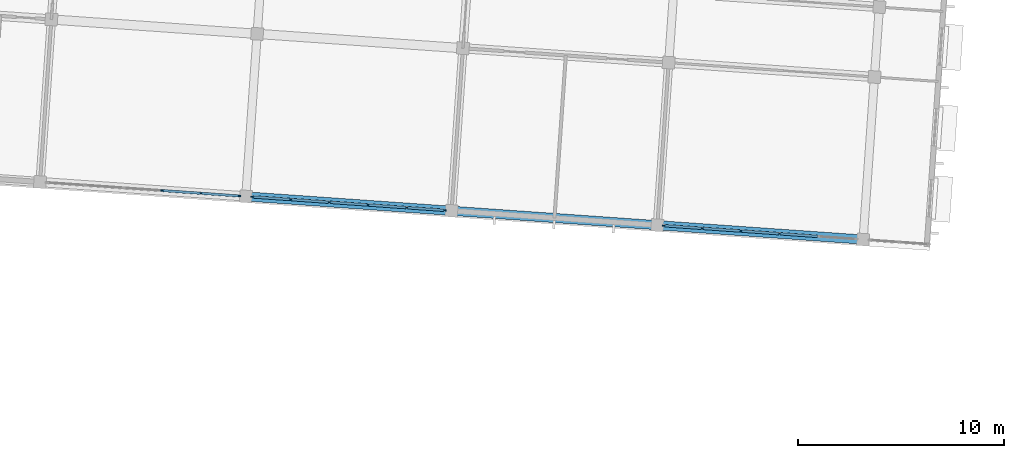
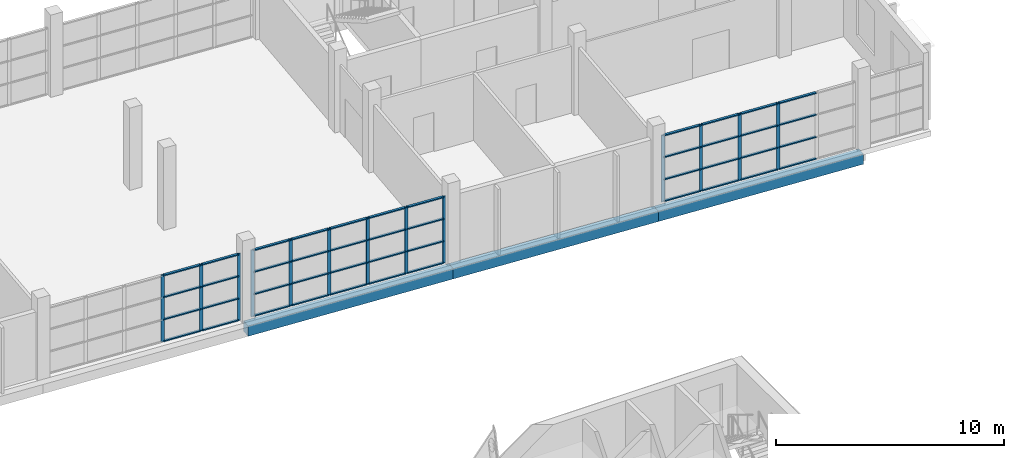
# One storey, part 44 of 115: 57 members, 3 beams, 3 elements without a shape of their own.
"""IFC4 building model written with IfcOpenShell, lengths in metres."""

from ifc_helpers import new_model, si_unit, direction, frame, origin, origin_2d, place, context, subcontext, project, spatial, rectangle, extrude, material, material_profile, profile_set, type_object, element, aggregate, save


model = new_model("IFC4")

# Units and contexts
model_context = context("Model", 3, precision=1e-05, world=origin(), true_north=direction((0.0, 1.0)))
body_context = subcontext(model_context, "Body", "Model", "MODEL_VIEW")
ifc_project = project(units=[si_unit("LENGTHUNIT", "METRE"), si_unit("AREAUNIT", "SQUARE_METRE"), si_unit("VOLUMEUNIT", "CUBIC_METRE"), si_unit("PLANEANGLEUNIT", "RADIAN"), si_unit("MASSUNIT", "GRAM", prefix="KILO")], contexts=[model_context])

# Site, building, storey
site_placement = place(None, origin())
site = spatial("IfcSite", under=ifc_project, at=site_placement, CompositionType="ELEMENT")
building_placement = place(site_placement, origin())
building = spatial("IfcBuilding", under=site, at=building_placement, Name="Windward Yard Aquatics Centre", CompositionType="ELEMENT")
storey_placement = place(building_placement, frame((0.0, 0.0, 5.0)))
storey = spatial("IfcBuildingStorey", under=building, at=storey_placement, Name="L01", CompositionType="ELEMENT", Elevation=5.0)

# Curtain wall, members
ifc_material_1 = material(Name="Aluminium curtain wall system", Category="aluminium")
curtain_wall_type = type_object("IfcCurtainWallType", Name="W curtain wall 1900", PredefinedType="NOTDEFINED", material=ifc_material_1)
curtain_wall_1_placement = place(storey_placement, origin())
curtain_wall_1 = element("IfcCurtainWall", 1, at=curtain_wall_1_placement, inside=storey, type_object=curtain_wall_type, Name="Wing south glazing L01 3", PredefinedType="NOTDEFINED")
ifc_material_2 = material(Name="Aluminium mullion", Category="aluminium")
ifc_material_profile_1 = material_profile(ifc_material_2, rectangle(XDim=0.06005859375, YDim=0.159912109375, at=origin_2d()), Name="AL 60x160")
ifc_profile_set_1 = profile_set([ifc_material_profile_1], Name="Aluminium mullion")
member_type_1 = type_object("IfcMemberType", Name="W CW mullion 60x160", PredefinedType="MULLION", material=ifc_profile_set_1)
member_1_placement = place(storey_placement, frame((133.739990234375, 115.0556640625, 0.0), z_axis=(0.0, 0.0, 1.0), x_axis=(0.069755340111, 0.997564129531, 0.0)))
member_1 = element("IfcMember", 2, at=member_1_placement, type_object=member_type_1, Name="WCW1 mullion 4", PredefinedType="MULLION", context=body_context, shape_type="SweptSolid", body=[
    extrude(rectangle(XDim=0.06005859375, YDim=0.159912109375, at=origin_2d()), origin(), (0.0, 0.0, 1.0), 3.570068359375),
])
member_2_placement = place(storey_placement, frame((135.615478515625, 114.924560546875, 0.0), z_axis=(0.0, 0.0, 1.0), x_axis=(0.069755340111, 0.997564129531, 0.0)))
member_2 = element("IfcMember", 3, at=member_2_placement, type_object=member_type_1, Name="WCW1 mullion 5", PredefinedType="MULLION", context=body_context, shape_type="SweptSolid", body=[
    extrude(rectangle(XDim=0.06005859375, YDim=0.159912109375, at=origin_2d()), origin(), (0.0, 0.0, 1.0), 3.570068359375),
])
member_3_placement = place(storey_placement, frame((137.4609375, 114.79541015625, 0.0), z_axis=(0.0, 0.0, 1.0), x_axis=(0.069755340111, 0.997564129531, 0.0)))
member_3 = element("IfcMember", 4, at=member_3_placement, type_object=member_type_1, Name="WCW1 mullion 6", PredefinedType="MULLION", context=body_context, shape_type="SweptSolid", body=[
    extrude(rectangle(XDim=0.06005859375, YDim=0.159912109375, at=origin_2d()), origin(), (0.0, 0.0, 1.0), 3.570068359375),
])

curtain_wall_2_placement = place(storey_placement, origin())
curtain_wall_2 = element("IfcCurtainWall", 5, at=curtain_wall_2_placement, inside=storey, type_object=curtain_wall_type, Name="Wing south glazing L01 4", PredefinedType="NOTDEFINED")
member_4_placement = place(storey_placement, frame((138.119384765625, 114.74951171875, 0.0), z_axis=(0.0, 0.0, 1.0), x_axis=(0.069755340111, 0.997564129531, 0.0)))
member_4 = element("IfcMember", 6, at=member_4_placement, type_object=member_type_1, Name="WCW1 mullion 1", PredefinedType="MULLION", context=body_context, shape_type="SweptSolid", body=[
    extrude(rectangle(XDim=0.06005859375, YDim=0.159912109375, at=origin_2d()), origin(), (0.0, 0.0, 1.0), 3.570068359375),
])
member_5_placement = place(storey_placement, frame((139.96484375, 114.620361328125, 0.0), z_axis=(0.0, 0.0, 1.0), x_axis=(0.069755340111, 0.997564129531, 0.0)))
member_5 = element("IfcMember", 7, at=member_5_placement, type_object=member_type_1, Name="WCW1 mullion 2", PredefinedType="MULLION", context=body_context, shape_type="SweptSolid", body=[
    extrude(rectangle(XDim=0.06005859375, YDim=0.159912109375, at=origin_2d()), origin(), (0.0, 0.0, 1.0), 3.570068359375),
])
member_6_placement = place(storey_placement, frame((141.84033203125, 114.4892578125, 0.0), z_axis=(0.0, 0.0, 1.0), x_axis=(0.069755340111, 0.997564129531, 0.0)))
member_6 = element("IfcMember", 8, at=member_6_placement, type_object=member_type_1, Name="WCW1 mullion 3", PredefinedType="MULLION", context=body_context, shape_type="SweptSolid", body=[
    extrude(rectangle(XDim=0.06005859375, YDim=0.159912109375, at=origin_2d()), origin(), (0.0, 0.0, 1.0), 3.570068359375),
])
member_7_placement = place(storey_placement, frame((143.715576171875, 114.358154296875, 0.0), z_axis=(0.0, 0.0, 1.0), x_axis=(0.069755340111, 0.997564129531, 0.0)))
member_7 = element("IfcMember", 9, at=member_7_placement, type_object=member_type_1, Name="WCW1 mullion 4", PredefinedType="MULLION", context=body_context, shape_type="SweptSolid", body=[
    extrude(rectangle(XDim=0.06005859375, YDim=0.159912109375, at=origin_2d()), origin(), (0.0, 0.0, 1.0), 3.570068359375),
])
member_8_placement = place(storey_placement, frame((145.591064453125, 114.22705078125, 0.0), z_axis=(0.0, 0.0, 1.0), x_axis=(0.069755340111, 0.997564129531, 0.0)))
member_8 = element("IfcMember", 10, at=member_8_placement, type_object=member_type_1, Name="WCW1 mullion 5", PredefinedType="MULLION", context=body_context, shape_type="SweptSolid", body=[
    extrude(rectangle(XDim=0.06005859375, YDim=0.159912109375, at=origin_2d()), origin(), (0.0, 0.0, 1.0), 3.570068359375),
])
member_9_placement = place(storey_placement, frame((147.4365234375, 114.097900390625, 0.0), z_axis=(0.0, 0.0, 1.0), x_axis=(0.069755340111, 0.997564129531, 0.0)))
member_9 = element("IfcMember", 11, at=member_9_placement, type_object=member_type_1, Name="WCW1 mullion 6", PredefinedType="MULLION", context=body_context, shape_type="SweptSolid", body=[
    extrude(rectangle(XDim=0.06005859375, YDim=0.159912109375, at=origin_2d()), origin(), (0.0, 0.0, 1.0), 3.570068359375),
])

curtain_wall_3_placement = place(storey_placement, origin())
curtain_wall_3 = element("IfcCurtainWall", 12, at=curtain_wall_3_placement, inside=storey, type_object=curtain_wall_type, Name="Wing south glazing L01 5", PredefinedType="NOTDEFINED")
member_10_placement = place(storey_placement, frame((158.070556640625, 113.354248046875, 0.0), z_axis=(0.0, 0.0, 1.0), x_axis=(0.069755340111, 0.997564129531, 0.0)))
member_10 = element("IfcMember", 13, at=member_10_placement, type_object=member_type_1, Name="WCW1 mullion 1", PredefinedType="MULLION", context=body_context, shape_type="SweptSolid", body=[
    extrude(rectangle(XDim=0.06005859375, YDim=0.159912109375, at=origin_2d()), origin(), (0.0, 0.0, 1.0), 3.570068359375),
])
member_11_placement = place(storey_placement, frame((159.916015625, 113.22509765625, 0.0), z_axis=(0.0, 0.0, 1.0), x_axis=(0.069755340111, 0.997564129531, 0.0)))
member_11 = element("IfcMember", 14, at=member_11_placement, type_object=member_type_1, Name="WCW1 mullion 2", PredefinedType="MULLION", context=body_context, shape_type="SweptSolid", body=[
    extrude(rectangle(XDim=0.06005859375, YDim=0.159912109375, at=origin_2d()), origin(), (0.0, 0.0, 1.0), 3.570068359375),
])
member_12_placement = place(storey_placement, frame((161.79150390625, 113.093994140625, 0.0), z_axis=(0.0, 0.0, 1.0), x_axis=(0.069755340111, 0.997564129531, 0.0)))
member_12 = element("IfcMember", 15, at=member_12_placement, type_object=member_type_1, Name="WCW1 mullion 3", PredefinedType="MULLION", context=body_context, shape_type="SweptSolid", body=[
    extrude(rectangle(XDim=0.06005859375, YDim=0.159912109375, at=origin_2d()), origin(), (0.0, 0.0, 1.0), 3.570068359375),
])
member_13_placement = place(storey_placement, frame((163.6669921875, 112.962890625, 0.0), z_axis=(0.0, 0.0, 1.0), x_axis=(0.069755340111, 0.997564129531, 0.0)))
member_13 = element("IfcMember", 16, at=member_13_placement, type_object=member_type_1, Name="WCW1 mullion 4", PredefinedType="MULLION", context=body_context, shape_type="SweptSolid", body=[
    extrude(rectangle(XDim=0.06005859375, YDim=0.159912109375, at=origin_2d()), origin(), (0.0, 0.0, 1.0), 3.570068359375),
])

# Member
ifc_material_3 = material(Name="Aluminium transom", Category="aluminium")
ifc_material_profile_2 = material_profile(ifc_material_3, rectangle(XDim=0.1201171875, YDim=0.06005859375, at=origin_2d()), Name="AL 120x60")
ifc_profile_set_2 = profile_set([ifc_material_profile_2], Name="Aluminium transom")
member_type_2 = type_object("IfcMemberType", Name="W CW transom 120x60", PredefinedType="USERDEFINED", material=ifc_profile_set_2)
member_14_placement = place(storey_placement, frame((133.77001953125, 115.053466796875, 0.030029296875), z_axis=(0.997563824095, -0.069759707979, 0.0), x_axis=(0.069759707979, 0.997563824095, 0.0)))
member_14 = element("IfcMember", 17, at=member_14_placement, type_object=member_type_2, Name="WCW1 transom 4.1", ObjectType="TRANSOM", PredefinedType="USERDEFINED", context=body_context, shape_type="SweptSolid", body=[
    extrude(rectangle(XDim=0.1201171875, YDim=0.06005859375, at=origin_2d()), origin(), (0.0, 0.0, 1.0), 1.81982421875),
])

member_15_placement = place(storey_placement, frame((133.77001953125, 115.053466796875, 1.18994140625), z_axis=(0.997563824095, -0.069759707979, 0.0), x_axis=(0.069759707979, 0.997563824095, 0.0)))
member_15 = element("IfcMember", 18, at=member_15_placement, type_object=member_type_2, Name="WCW1 transom 4.2", ObjectType="TRANSOM", PredefinedType="USERDEFINED", context=body_context, shape_type="SweptSolid", body=[
    extrude(rectangle(XDim=0.1201171875, YDim=0.06005859375, at=origin_2d()), origin(), (0.0, 0.0, 1.0), 1.81982421875),
])

member_16_placement = place(storey_placement, frame((133.77001953125, 115.053466796875, 2.3798828125), z_axis=(0.997563824095, -0.069759707979, 0.0), x_axis=(0.069759707979, 0.997563824095, 0.0)))
member_16 = element("IfcMember", 19, at=member_16_placement, type_object=member_type_2, Name="WCW1 transom 4.3", ObjectType="TRANSOM", PredefinedType="USERDEFINED", context=body_context, shape_type="SweptSolid", body=[
    extrude(rectangle(XDim=0.1201171875, YDim=0.06005859375, at=origin_2d()), origin(), (0.0, 0.0, 1.0), 1.81982421875),
])

member_17_placement = place(storey_placement, frame((133.77001953125, 115.053466796875, 3.5400390625), z_axis=(0.997563824095, -0.069759707979, 0.0), x_axis=(0.069759707979, 0.997563824095, 0.0)))
member_17 = element("IfcMember", 20, at=member_17_placement, type_object=member_type_2, Name="WCW1 transom 4.4", ObjectType="TRANSOM", PredefinedType="USERDEFINED", context=body_context, shape_type="SweptSolid", body=[
    extrude(rectangle(XDim=0.1201171875, YDim=0.06005859375, at=origin_2d()), origin(), (0.0, 0.0, 1.0), 1.81982421875),
])

member_18_placement = place(storey_placement, frame((135.6455078125, 114.92236328125, 0.030029296875), z_axis=(0.997558777123, -0.069831842205, 0.0), x_axis=(0.069831842205, 0.997558777123, 0.0)))
member_18 = element("IfcMember", 21, at=member_18_placement, type_object=member_type_2, Name="WCW1 transom 5.1", ObjectType="TRANSOM", PredefinedType="USERDEFINED", context=body_context, shape_type="SweptSolid", body=[
    extrude(rectangle(XDim=0.1201171875, YDim=0.06005859375, at=origin_2d()), origin(), (0.0, 0.0, 1.0), 1.7900390625),
])

member_19_placement = place(storey_placement, frame((135.6455078125, 114.92236328125, 1.18994140625), z_axis=(0.997558777123, -0.069831842205, 0.0), x_axis=(0.069831842205, 0.997558777123, 0.0)))
member_19 = element("IfcMember", 22, at=member_19_placement, type_object=member_type_2, Name="WCW1 transom 5.2", ObjectType="TRANSOM", PredefinedType="USERDEFINED", context=body_context, shape_type="SweptSolid", body=[
    extrude(rectangle(XDim=0.1201171875, YDim=0.06005859375, at=origin_2d()), origin(), (0.0, 0.0, 1.0), 1.7900390625),
])

member_20_placement = place(storey_placement, frame((135.6455078125, 114.92236328125, 2.3798828125), z_axis=(0.997558777123, -0.069831842205, 0.0), x_axis=(0.069831842205, 0.997558777123, 0.0)))
member_20 = element("IfcMember", 23, at=member_20_placement, type_object=member_type_2, Name="WCW1 transom 5.3", ObjectType="TRANSOM", PredefinedType="USERDEFINED", context=body_context, shape_type="SweptSolid", body=[
    extrude(rectangle(XDim=0.1201171875, YDim=0.06005859375, at=origin_2d()), origin(), (0.0, 0.0, 1.0), 1.7900390625),
])

member_21_placement = place(storey_placement, frame((135.6455078125, 114.92236328125, 3.5400390625), z_axis=(0.997558777123, -0.069831842205, 0.0), x_axis=(0.069831842205, 0.997558777123, 0.0)))
member_21 = element("IfcMember", 24, at=member_21_placement, type_object=member_type_2, Name="WCW1 transom 5.4", ObjectType="TRANSOM", PredefinedType="USERDEFINED", context=body_context, shape_type="SweptSolid", body=[
    extrude(rectangle(XDim=0.1201171875, YDim=0.06005859375, at=origin_2d()), origin(), (0.0, 0.0, 1.0), 1.7900390625),
])

aggregate(curtain_wall_1, [member_1, member_2, member_3, member_14, member_15, member_16, member_17, member_18, member_19, member_20, member_21])

member_22_placement = place(storey_placement, frame((138.149169921875, 114.747314453125, 0.030029296875), z_axis=(0.997568269116, -0.069696115056, 0.0), x_axis=(0.069696115056, 0.997568269116, 0.0)))
member_22 = element("IfcMember", 25, at=member_22_placement, type_object=member_type_2, Name="WCW1 transom 1.1", ObjectType="TRANSOM", PredefinedType="USERDEFINED", context=body_context, shape_type="SweptSolid", body=[
    extrude(rectangle(XDim=0.1201171875, YDim=0.06005859375, at=origin_2d()), origin(), (0.0, 0.0, 1.0), 1.7900390625),
])

member_23_placement = place(storey_placement, frame((138.149169921875, 114.747314453125, 1.18994140625), z_axis=(0.997568269116, -0.069696115056, 0.0), x_axis=(0.069696115056, 0.997568269116, 0.0)))
member_23 = element("IfcMember", 26, at=member_23_placement, type_object=member_type_2, Name="WCW1 transom 1.2", ObjectType="TRANSOM", PredefinedType="USERDEFINED", context=body_context, shape_type="SweptSolid", body=[
    extrude(rectangle(XDim=0.1201171875, YDim=0.06005859375, at=origin_2d()), origin(), (0.0, 0.0, 1.0), 1.7900390625),
])

member_24_placement = place(storey_placement, frame((138.149169921875, 114.747314453125, 2.3798828125), z_axis=(0.997568269116, -0.069696115056, 0.0), x_axis=(0.069696115056, 0.997568269116, 0.0)))
member_24 = element("IfcMember", 27, at=member_24_placement, type_object=member_type_2, Name="WCW1 transom 1.3", ObjectType="TRANSOM", PredefinedType="USERDEFINED", context=body_context, shape_type="SweptSolid", body=[
    extrude(rectangle(XDim=0.1201171875, YDim=0.06005859375, at=origin_2d()), origin(), (0.0, 0.0, 1.0), 1.7900390625),
])

member_25_placement = place(storey_placement, frame((138.149169921875, 114.747314453125, 3.5400390625), z_axis=(0.997568269116, -0.069696115056, 0.0), x_axis=(0.069696115056, 0.997568269116, 0.0)))
member_25 = element("IfcMember", 28, at=member_25_placement, type_object=member_type_2, Name="WCW1 transom 1.4", ObjectType="TRANSOM", PredefinedType="USERDEFINED", context=body_context, shape_type="SweptSolid", body=[
    extrude(rectangle(XDim=0.1201171875, YDim=0.06005859375, at=origin_2d()), origin(), (0.0, 0.0, 1.0), 1.7900390625),
])

member_26_placement = place(storey_placement, frame((139.99462890625, 114.6181640625, 0.030029296875), z_axis=(0.99756447681, -0.06975037353, 0.0), x_axis=(0.06975037353, 0.99756447681, 0.0)))
member_26 = element("IfcMember", 29, at=member_26_placement, type_object=member_type_2, Name="WCW1 transom 2.1", ObjectType="TRANSOM", PredefinedType="USERDEFINED", context=body_context, shape_type="SweptSolid", body=[
    extrude(rectangle(XDim=0.1201171875, YDim=0.06005859375, at=origin_2d()), origin(), (0.0, 0.0, 1.0), 1.820068359375),
])

member_27_placement = place(storey_placement, frame((139.99462890625, 114.6181640625, 1.18994140625), z_axis=(0.99756447681, -0.06975037353, 0.0), x_axis=(0.06975037353, 0.99756447681, 0.0)))
member_27 = element("IfcMember", 30, at=member_27_placement, type_object=member_type_2, Name="WCW1 transom 2.2", ObjectType="TRANSOM", PredefinedType="USERDEFINED", context=body_context, shape_type="SweptSolid", body=[
    extrude(rectangle(XDim=0.1201171875, YDim=0.06005859375, at=origin_2d()), origin(), (0.0, 0.0, 1.0), 1.820068359375),
])

member_28_placement = place(storey_placement, frame((139.99462890625, 114.6181640625, 2.3798828125), z_axis=(0.99756447681, -0.06975037353, 0.0), x_axis=(0.06975037353, 0.99756447681, 0.0)))
member_28 = element("IfcMember", 31, at=member_28_placement, type_object=member_type_2, Name="WCW1 transom 2.3", ObjectType="TRANSOM", PredefinedType="USERDEFINED", context=body_context, shape_type="SweptSolid", body=[
    extrude(rectangle(XDim=0.1201171875, YDim=0.06005859375, at=origin_2d()), origin(), (0.0, 0.0, 1.0), 1.820068359375),
])

member_29_placement = place(storey_placement, frame((139.99462890625, 114.6181640625, 3.5400390625), z_axis=(0.99756447681, -0.06975037353, 0.0), x_axis=(0.06975037353, 0.99756447681, 0.0)))
member_29 = element("IfcMember", 32, at=member_29_placement, type_object=member_type_2, Name="WCW1 transom 2.4", ObjectType="TRANSOM", PredefinedType="USERDEFINED", context=body_context, shape_type="SweptSolid", body=[
    extrude(rectangle(XDim=0.1201171875, YDim=0.06005859375, at=origin_2d()), origin(), (0.0, 0.0, 1.0), 1.820068359375),
])

member_30_placement = place(storey_placement, frame((141.8701171875, 114.487060546875, 0.030029296875), z_axis=(0.99756447681, -0.06975037353, 0.0), x_axis=(0.06975037353, 0.99756447681, 0.0)))
member_30 = element("IfcMember", 33, at=member_30_placement, type_object=member_type_2, Name="WCW1 transom 3.1", ObjectType="TRANSOM", PredefinedType="USERDEFINED", context=body_context, shape_type="SweptSolid", body=[
    extrude(rectangle(XDim=0.1201171875, YDim=0.06005859375, at=origin_2d()), origin(), (0.0, 0.0, 1.0), 1.820068359375),
])

member_31_placement = place(storey_placement, frame((141.8701171875, 114.487060546875, 1.18994140625), z_axis=(0.99756447681, -0.06975037353, 0.0), x_axis=(0.06975037353, 0.99756447681, 0.0)))
member_31 = element("IfcMember", 34, at=member_31_placement, type_object=member_type_2, Name="WCW1 transom 3.2", ObjectType="TRANSOM", PredefinedType="USERDEFINED", context=body_context, shape_type="SweptSolid", body=[
    extrude(rectangle(XDim=0.1201171875, YDim=0.06005859375, at=origin_2d()), origin(), (0.0, 0.0, 1.0), 1.820068359375),
])

member_32_placement = place(storey_placement, frame((141.8701171875, 114.487060546875, 2.3798828125), z_axis=(0.99756447681, -0.06975037353, 0.0), x_axis=(0.06975037353, 0.99756447681, 0.0)))
member_32 = element("IfcMember", 35, at=member_32_placement, type_object=member_type_2, Name="WCW1 transom 3.3", ObjectType="TRANSOM", PredefinedType="USERDEFINED", context=body_context, shape_type="SweptSolid", body=[
    extrude(rectangle(XDim=0.1201171875, YDim=0.06005859375, at=origin_2d()), origin(), (0.0, 0.0, 1.0), 1.820068359375),
])

member_33_placement = place(storey_placement, frame((141.8701171875, 114.487060546875, 3.5400390625), z_axis=(0.99756447681, -0.06975037353, 0.0), x_axis=(0.06975037353, 0.99756447681, 0.0)))
member_33 = element("IfcMember", 36, at=member_33_placement, type_object=member_type_2, Name="WCW1 transom 3.4", ObjectType="TRANSOM", PredefinedType="USERDEFINED", context=body_context, shape_type="SweptSolid", body=[
    extrude(rectangle(XDim=0.1201171875, YDim=0.06005859375, at=origin_2d()), origin(), (0.0, 0.0, 1.0), 1.820068359375),
])

member_34_placement = place(storey_placement, frame((143.74560546875, 114.35595703125, 0.030029296875), z_axis=(0.997563824095, -0.069759707979, 0.0), x_axis=(0.069759707979, 0.997563824095, 0.0)))
member_34 = element("IfcMember", 37, at=member_34_placement, type_object=member_type_2, Name="WCW1 transom 4.1", ObjectType="TRANSOM", PredefinedType="USERDEFINED", context=body_context, shape_type="SweptSolid", body=[
    extrude(rectangle(XDim=0.1201171875, YDim=0.06005859375, at=origin_2d()), origin(), (0.0, 0.0, 1.0), 1.81982421875),
])

member_35_placement = place(storey_placement, frame((143.74560546875, 114.35595703125, 1.18994140625), z_axis=(0.997563824095, -0.069759707979, 0.0), x_axis=(0.069759707979, 0.997563824095, 0.0)))
member_35 = element("IfcMember", 38, at=member_35_placement, type_object=member_type_2, Name="WCW1 transom 4.2", ObjectType="TRANSOM", PredefinedType="USERDEFINED", context=body_context, shape_type="SweptSolid", body=[
    extrude(rectangle(XDim=0.1201171875, YDim=0.06005859375, at=origin_2d()), origin(), (0.0, 0.0, 1.0), 1.81982421875),
])

member_36_placement = place(storey_placement, frame((143.74560546875, 114.35595703125, 2.3798828125), z_axis=(0.997563824095, -0.069759707979, 0.0), x_axis=(0.069759707979, 0.997563824095, 0.0)))
member_36 = element("IfcMember", 39, at=member_36_placement, type_object=member_type_2, Name="WCW1 transom 4.3", ObjectType="TRANSOM", PredefinedType="USERDEFINED", context=body_context, shape_type="SweptSolid", body=[
    extrude(rectangle(XDim=0.1201171875, YDim=0.06005859375, at=origin_2d()), origin(), (0.0, 0.0, 1.0), 1.81982421875),
])

member_37_placement = place(storey_placement, frame((143.74560546875, 114.35595703125, 3.5400390625), z_axis=(0.997563824095, -0.069759707979, 0.0), x_axis=(0.069759707979, 0.997563824095, 0.0)))
member_37 = element("IfcMember", 40, at=member_37_placement, type_object=member_type_2, Name="WCW1 transom 4.4", ObjectType="TRANSOM", PredefinedType="USERDEFINED", context=body_context, shape_type="SweptSolid", body=[
    extrude(rectangle(XDim=0.1201171875, YDim=0.06005859375, at=origin_2d()), origin(), (0.0, 0.0, 1.0), 1.81982421875),
])

member_38_placement = place(storey_placement, frame((145.62109375, 114.224853515625, 0.030029296875), z_axis=(0.997568269116, -0.069696115056, 0.0), x_axis=(0.069696115056, 0.997568269116, 0.0)))
member_38 = element("IfcMember", 41, at=member_38_placement, type_object=member_type_2, Name="WCW1 transom 5.1", ObjectType="TRANSOM", PredefinedType="USERDEFINED", context=body_context, shape_type="SweptSolid", body=[
    extrude(rectangle(XDim=0.1201171875, YDim=0.06005859375, at=origin_2d()), origin(), (0.0, 0.0, 1.0), 1.7900390625),
])

member_39_placement = place(storey_placement, frame((145.62109375, 114.224853515625, 1.18994140625), z_axis=(0.997568269116, -0.069696115056, 0.0), x_axis=(0.069696115056, 0.997568269116, 0.0)))
member_39 = element("IfcMember", 42, at=member_39_placement, type_object=member_type_2, Name="WCW1 transom 5.2", ObjectType="TRANSOM", PredefinedType="USERDEFINED", context=body_context, shape_type="SweptSolid", body=[
    extrude(rectangle(XDim=0.1201171875, YDim=0.06005859375, at=origin_2d()), origin(), (0.0, 0.0, 1.0), 1.7900390625),
])

member_40_placement = place(storey_placement, frame((145.62109375, 114.224853515625, 2.3798828125), z_axis=(0.997568269116, -0.069696115056, 0.0), x_axis=(0.069696115056, 0.997568269116, 0.0)))
member_40 = element("IfcMember", 43, at=member_40_placement, type_object=member_type_2, Name="WCW1 transom 5.3", ObjectType="TRANSOM", PredefinedType="USERDEFINED", context=body_context, shape_type="SweptSolid", body=[
    extrude(rectangle(XDim=0.1201171875, YDim=0.06005859375, at=origin_2d()), origin(), (0.0, 0.0, 1.0), 1.7900390625),
])

member_41_placement = place(storey_placement, frame((145.62109375, 114.224853515625, 3.5400390625), z_axis=(0.997568269116, -0.069696115056, 0.0), x_axis=(0.069696115056, 0.997568269116, 0.0)))
member_41 = element("IfcMember", 44, at=member_41_placement, type_object=member_type_2, Name="WCW1 transom 5.4", ObjectType="TRANSOM", PredefinedType="USERDEFINED", context=body_context, shape_type="SweptSolid", body=[
    extrude(rectangle(XDim=0.1201171875, YDim=0.06005859375, at=origin_2d()), origin(), (0.0, 0.0, 1.0), 1.7900390625),
])

aggregate(curtain_wall_2, [member_4, member_5, member_6, member_7, member_8, member_9, member_22, member_23, member_24, member_25, member_26, member_27, member_28, member_29, member_30, member_31, member_32, member_33, member_34, member_35, member_36, member_37, member_38, member_39, member_40, member_41])

member_42_placement = place(storey_placement, frame((158.1005859375, 113.35205078125, 0.030029296875), z_axis=(0.997568269116, -0.069696115056, 0.0), x_axis=(0.069696115056, 0.997568269116, 0.0)))
member_42 = element("IfcMember", 45, at=member_42_placement, type_object=member_type_2, Name="WCW1 transom 1.1", ObjectType="TRANSOM", PredefinedType="USERDEFINED", context=body_context, shape_type="SweptSolid", body=[
    extrude(rectangle(XDim=0.1201171875, YDim=0.06005859375, at=origin_2d()), origin(), (0.0, 0.0, 1.0), 1.7900390625),
])

member_43_placement = place(storey_placement, frame((158.1005859375, 113.35205078125, 1.18994140625), z_axis=(0.997568269116, -0.069696115056, 0.0), x_axis=(0.069696115056, 0.997568269116, 0.0)))
member_43 = element("IfcMember", 46, at=member_43_placement, type_object=member_type_2, Name="WCW1 transom 1.2", ObjectType="TRANSOM", PredefinedType="USERDEFINED", context=body_context, shape_type="SweptSolid", body=[
    extrude(rectangle(XDim=0.1201171875, YDim=0.06005859375, at=origin_2d()), origin(), (0.0, 0.0, 1.0), 1.7900390625),
])

member_44_placement = place(storey_placement, frame((158.1005859375, 113.35205078125, 2.3798828125), z_axis=(0.997568269116, -0.069696115056, 0.0), x_axis=(0.069696115056, 0.997568269116, 0.0)))
member_44 = element("IfcMember", 47, at=member_44_placement, type_object=member_type_2, Name="WCW1 transom 1.3", ObjectType="TRANSOM", PredefinedType="USERDEFINED", context=body_context, shape_type="SweptSolid", body=[
    extrude(rectangle(XDim=0.1201171875, YDim=0.06005859375, at=origin_2d()), origin(), (0.0, 0.0, 1.0), 1.7900390625),
])

member_45_placement = place(storey_placement, frame((158.1005859375, 113.35205078125, 3.5400390625), z_axis=(0.997568269116, -0.069696115056, 0.0), x_axis=(0.069696115056, 0.997568269116, 0.0)))
member_45 = element("IfcMember", 48, at=member_45_placement, type_object=member_type_2, Name="WCW1 transom 1.4", ObjectType="TRANSOM", PredefinedType="USERDEFINED", context=body_context, shape_type="SweptSolid", body=[
    extrude(rectangle(XDim=0.1201171875, YDim=0.06005859375, at=origin_2d()), origin(), (0.0, 0.0, 1.0), 1.7900390625),
])

member_46_placement = place(storey_placement, frame((159.946044921875, 113.22314453125, 0.030029296875), z_axis=(0.99756447681, -0.06975037353, 0.0), x_axis=(0.06975037353, 0.99756447681, 0.0)))
member_46 = element("IfcMember", 49, at=member_46_placement, type_object=member_type_2, Name="WCW1 transom 2.1", ObjectType="TRANSOM", PredefinedType="USERDEFINED", context=body_context, shape_type="SweptSolid", body=[
    extrude(rectangle(XDim=0.1201171875, YDim=0.06005859375, at=origin_2d()), origin(), (0.0, 0.0, 1.0), 1.820068359375),
])

member_47_placement = place(storey_placement, frame((159.946044921875, 113.22314453125, 1.18994140625), z_axis=(0.99756447681, -0.06975037353, 0.0), x_axis=(0.06975037353, 0.99756447681, 0.0)))
member_47 = element("IfcMember", 50, at=member_47_placement, type_object=member_type_2, Name="WCW1 transom 2.2", ObjectType="TRANSOM", PredefinedType="USERDEFINED", context=body_context, shape_type="SweptSolid", body=[
    extrude(rectangle(XDim=0.1201171875, YDim=0.06005859375, at=origin_2d()), origin(), (0.0, 0.0, 1.0), 1.820068359375),
])

member_48_placement = place(storey_placement, frame((159.946044921875, 113.22314453125, 2.3798828125), z_axis=(0.99756447681, -0.06975037353, 0.0), x_axis=(0.06975037353, 0.99756447681, 0.0)))
member_48 = element("IfcMember", 51, at=member_48_placement, type_object=member_type_2, Name="WCW1 transom 2.3", ObjectType="TRANSOM", PredefinedType="USERDEFINED", context=body_context, shape_type="SweptSolid", body=[
    extrude(rectangle(XDim=0.1201171875, YDim=0.06005859375, at=origin_2d()), origin(), (0.0, 0.0, 1.0), 1.820068359375),
])

member_49_placement = place(storey_placement, frame((159.946044921875, 113.22314453125, 3.5400390625), z_axis=(0.99756447681, -0.06975037353, 0.0), x_axis=(0.06975037353, 0.99756447681, 0.0)))
member_49 = element("IfcMember", 52, at=member_49_placement, type_object=member_type_2, Name="WCW1 transom 2.4", ObjectType="TRANSOM", PredefinedType="USERDEFINED", context=body_context, shape_type="SweptSolid", body=[
    extrude(rectangle(XDim=0.1201171875, YDim=0.06005859375, at=origin_2d()), origin(), (0.0, 0.0, 1.0), 1.820068359375),
])

member_50_placement = place(storey_placement, frame((161.821533203125, 113.092041015625, 0.030029296875), z_axis=(0.997563824095, -0.069759707979, 0.0), x_axis=(0.069759707979, 0.997563824095, 0.0)))
member_50 = element("IfcMember", 53, at=member_50_placement, type_object=member_type_2, Name="WCW1 transom 3.1", ObjectType="TRANSOM", PredefinedType="USERDEFINED", context=body_context, shape_type="SweptSolid", body=[
    extrude(rectangle(XDim=0.1201171875, YDim=0.06005859375, at=origin_2d()), origin(), (0.0, 0.0, 1.0), 1.81982421875),
])

member_51_placement = place(storey_placement, frame((161.821533203125, 113.092041015625, 1.18994140625), z_axis=(0.997563824095, -0.069759707979, 0.0), x_axis=(0.069759707979, 0.997563824095, 0.0)))
member_51 = element("IfcMember", 54, at=member_51_placement, type_object=member_type_2, Name="WCW1 transom 3.2", ObjectType="TRANSOM", PredefinedType="USERDEFINED", context=body_context, shape_type="SweptSolid", body=[
    extrude(rectangle(XDim=0.1201171875, YDim=0.06005859375, at=origin_2d()), origin(), (0.0, 0.0, 1.0), 1.81982421875),
])

member_52_placement = place(storey_placement, frame((161.821533203125, 113.092041015625, 2.3798828125), z_axis=(0.997563824095, -0.069759707979, 0.0), x_axis=(0.069759707979, 0.997563824095, 0.0)))
member_52 = element("IfcMember", 55, at=member_52_placement, type_object=member_type_2, Name="WCW1 transom 3.3", ObjectType="TRANSOM", PredefinedType="USERDEFINED", context=body_context, shape_type="SweptSolid", body=[
    extrude(rectangle(XDim=0.1201171875, YDim=0.06005859375, at=origin_2d()), origin(), (0.0, 0.0, 1.0), 1.81982421875),
])

member_53_placement = place(storey_placement, frame((161.821533203125, 113.092041015625, 3.5400390625), z_axis=(0.997563824095, -0.069759707979, 0.0), x_axis=(0.069759707979, 0.997563824095, 0.0)))
member_53 = element("IfcMember", 56, at=member_53_placement, type_object=member_type_2, Name="WCW1 transom 3.4", ObjectType="TRANSOM", PredefinedType="USERDEFINED", context=body_context, shape_type="SweptSolid", body=[
    extrude(rectangle(XDim=0.1201171875, YDim=0.06005859375, at=origin_2d()), origin(), (0.0, 0.0, 1.0), 1.81982421875),
])

member_54_placement = place(storey_placement, frame((163.69677734375, 112.960693359375, 0.030029296875), z_axis=(0.99756447681, -0.06975037353, 0.0), x_axis=(0.06975037353, 0.99756447681, 0.0)))
member_54 = element("IfcMember", 57, at=member_54_placement, type_object=member_type_2, Name="WCW1 transom 4.1", ObjectType="TRANSOM", PredefinedType="USERDEFINED", context=body_context, shape_type="SweptSolid", body=[
    extrude(rectangle(XDim=0.1201171875, YDim=0.06005859375, at=origin_2d()), origin(), (0.0, 0.0, 1.0), 1.820068359375),
])

member_55_placement = place(storey_placement, frame((163.69677734375, 112.960693359375, 1.18994140625), z_axis=(0.99756447681, -0.06975037353, 0.0), x_axis=(0.06975037353, 0.99756447681, 0.0)))
member_55 = element("IfcMember", 58, at=member_55_placement, type_object=member_type_2, Name="WCW1 transom 4.2", ObjectType="TRANSOM", PredefinedType="USERDEFINED", context=body_context, shape_type="SweptSolid", body=[
    extrude(rectangle(XDim=0.1201171875, YDim=0.06005859375, at=origin_2d()), origin(), (0.0, 0.0, 1.0), 1.820068359375),
])

member_56_placement = place(storey_placement, frame((163.69677734375, 112.960693359375, 2.3798828125), z_axis=(0.99756447681, -0.06975037353, 0.0), x_axis=(0.06975037353, 0.99756447681, 0.0)))
member_56 = element("IfcMember", 59, at=member_56_placement, type_object=member_type_2, Name="WCW1 transom 4.3", ObjectType="TRANSOM", PredefinedType="USERDEFINED", context=body_context, shape_type="SweptSolid", body=[
    extrude(rectangle(XDim=0.1201171875, YDim=0.06005859375, at=origin_2d()), origin(), (0.0, 0.0, 1.0), 1.820068359375),
])

member_57_placement = place(storey_placement, frame((163.69677734375, 112.960693359375, 3.5400390625), z_axis=(0.99756447681, -0.06975037353, 0.0), x_axis=(0.06975037353, 0.99756447681, 0.0)))
member_57 = element("IfcMember", 60, at=member_57_placement, type_object=member_type_2, Name="WCW1 transom 4.4", ObjectType="TRANSOM", PredefinedType="USERDEFINED", context=body_context, shape_type="SweptSolid", body=[
    extrude(rectangle(XDim=0.1201171875, YDim=0.06005859375, at=origin_2d()), origin(), (0.0, 0.0, 1.0), 1.820068359375),
])

aggregate(curtain_wall_3, [member_10, member_11, member_12, member_13, member_42, member_43, member_44, member_45, member_46, member_47, member_48, member_49, member_50, member_51, member_52, member_53, member_54, member_55, member_56, member_57])

# Beams
ifc_material_4 = material(Name="Concrete C40/50", Category="concrete")
ifc_material_profile_3 = material_profile(ifc_material_4, rectangle(XDim=0.449951171875, YDim=0.550048828125, at=origin_2d()), Name="RC 450x550")
ifc_profile_set_3 = profile_set([ifc_material_profile_3], Name="Concrete C40/50")
beam_type = type_object("IfcBeamType", Name="W RC 450x550 beam Concrete C40/50", PredefinedType="BEAM", material=ifc_profile_set_3)
beam_placement = place(storey_placement, frame((137.7900390625, 114.7724609375, -0.554931640625), z_axis=(0.997562826017, -0.069773979021, 0.0), x_axis=(0.069773979021, 0.997562826017, 0.0)))
element("IfcBeam", 61, at=beam_placement, inside=storey, type_object=beam_type, Name="W.BU.L01.1.4", PredefinedType="BEAM", context=body_context, shape_type="SweptSolid", body=[
    extrude(rectangle(XDim=0.449951171875, YDim=0.550048828125, at=origin_2d()), origin(), (0.0, 0.0, 1.0), 10.000244140625),
])
for number, where, z_axis, x_axis, name in (
    (62, (147.765869140625, 114.07470703125, -0.554931640625), (0.997564406228, -0.069751382981, 0.0), (0.069751382981, 0.997564406228, 0.0), "W.BU.L01.1.5"),
    (63, (157.741455078125, 113.377197265625, -0.554931640625), (0.997564406228, -0.069751382981, 0.0), (0.069751382981, 0.997564406228, 0.0), "W.BU.L01.1.6"),
):
    element("IfcBeam", number, at=place(storey_placement, frame(where, z_axis=z_axis, x_axis=x_axis)), inside=storey, type_object=beam_type, Name=name, PredefinedType="BEAM", context=body_context, shape_type="SweptSolid", body=[
        extrude(rectangle(XDim=0.449951171875, YDim=0.550048828125, at=origin_2d()), origin(), (0.0, 0.0, 1.0), 10.0),
    ])

save(model, "model.ifc")
